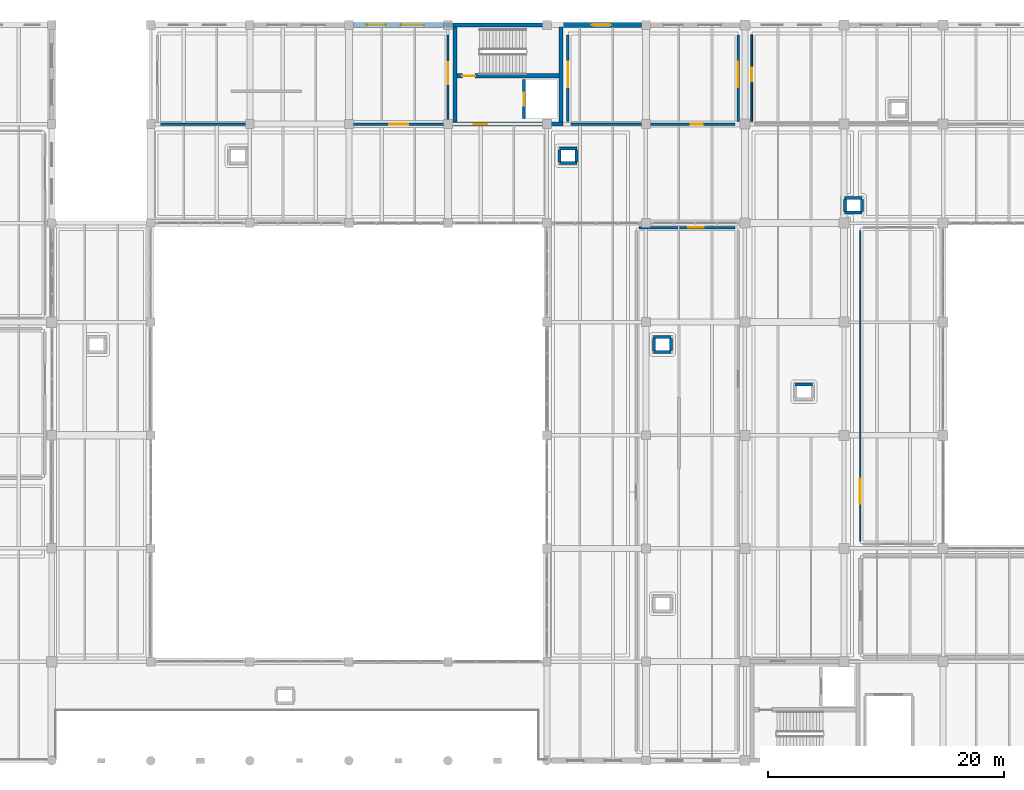
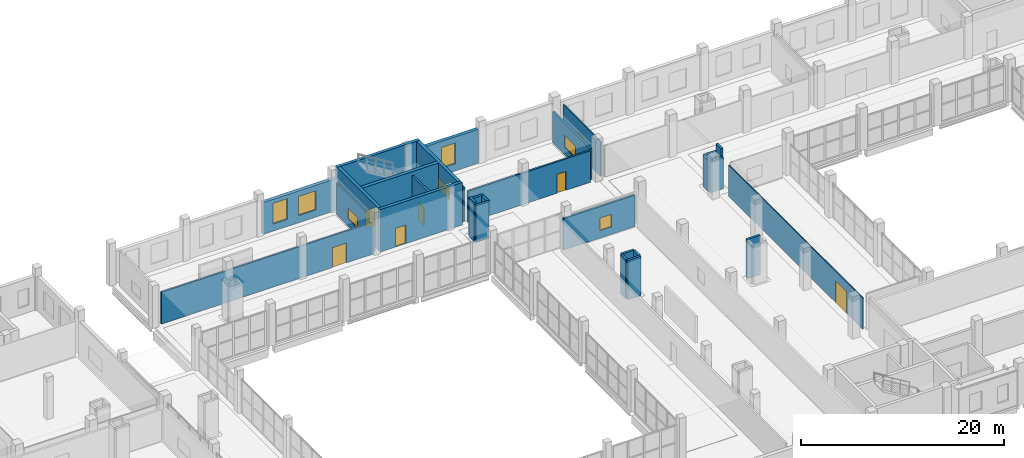
# One storey, part 49 of 66: 29 walls, 8 windows, 6 doors, 14 openings.
"""IFC4 building model written with IfcOpenShell, lengths in metres."""

from ifc_helpers import new_model, si_unit, direction, frame, frame_2d, origin, place, context, subcontext, project, spatial, rectangle, extrude, material, layer, layer_set, type_object, element, fill, save


model = new_model("IFC4")

# Units and contexts
model_context = context("Model", 3, precision=1e-05, world=origin(), true_north=direction((0.0, 1.0)))
body_context = subcontext(model_context, "Body", "Model", "MODEL_VIEW")
ifc_project = project(units=[si_unit("LENGTHUNIT", "METRE"), si_unit("AREAUNIT", "SQUARE_METRE"), si_unit("VOLUMEUNIT", "CUBIC_METRE"), si_unit("PLANEANGLEUNIT", "RADIAN"), si_unit("MASSUNIT", "GRAM", prefix="KILO")], contexts=[model_context])

# Site, building, storey
site_placement = place(None, origin())
site = spatial("IfcSite", under=ifc_project, at=site_placement, CompositionType="ELEMENT")
building_placement = place(site_placement, origin())
building = spatial("IfcBuilding", under=site, at=building_placement, Name="Zulmaris Art Gallery", CompositionType="ELEMENT")
storey_placement = place(building_placement, frame((0.0, 0.0, 5.39990234375)))
storey = spatial("IfcBuildingStorey", under=building, at=storey_placement, Name="L01", CompositionType="ELEMENT", Elevation=5.39990234375)

# Wall, openings, windows
ifc_material_1 = material(Name="Omani Desert Rose Limestone Cladding Wall", Category="masonry")
ifc_layer_1 = layer(ifc_material_1, 0.389892578125)
ifc_layer_set_1 = layer_set([ifc_layer_1], Name="Omani Desert Rose Limestone Cladding Wall")
wall_type_1 = type_object("IfcWallType", Name="ENV-WALL-EW02", PredefinedType="SOLIDWALL", material=ifc_layer_set_1)
wall_1_placement = place(storey_placement, frame((108.376953125, 75.60009765625, 0.0), z_axis=(0.0, 0.0, 1.0), x_axis=(1.0, 0.0, 0.0)))
wall_1 = element("IfcWall", 1, at=wall_1_placement, inside=storey, type_object=wall_type_1, Name="L01 V4 North Alley Limestone Facade (108.0..116.8)", PredefinedType="SOLIDWALL", context=body_context, shape_type="SweptSolid", body=[
    extrude(rectangle(XDim=8.4111328125, YDim=0.389892578125, at=frame_2d((4.20556640625, 0.0))), origin(), (0.0, 0.0, 1.0), 3.820068359375),
])
opening_1_placement = place(wall_1_placement, frame((1.14306640625, 0.0, 0.85009765625)))
opening_1 = element("IfcOpeningElement", 2, at=opening_1_placement, cuts=wall_1, Name="Opening W01", PredefinedType="OPENING", context=body_context, shape_type="SweptSolid", body=[
    extrude(rectangle(XDim=1.60009765625, YDim=2.5, at=frame_2d((0.800048828125, 1.25))), frame((0.0, 0.204833984375, 0.0), z_axis=(0.0, -1.0, 0.0), x_axis=(1.0, 0.0, 0.0)), (0.0, 0.0, 1.0), 0.409912109375),
])
opening_2_placement = place(wall_1_placement, frame((4.04296875, 0.0, 0.85009765625)))
opening_2 = element("IfcOpeningElement", 3, at=opening_2_placement, cuts=wall_1, Name="Opening W08", PredefinedType="OPENING", context=body_context, shape_type="SweptSolid", body=[
    extrude(rectangle(XDim=1.949951171875, YDim=2.300048828125, at=frame_2d((0.97509765625, 1.14990234375))), frame((0.0, 0.204833984375, 0.0), z_axis=(0.0, -1.0, 0.0), x_axis=(1.0, 0.0, 0.0)), (0.0, 0.0, 1.0), 0.409912109375),
])
ifc_material_2 = material(Name="Double-Glazed Solar-Control Low-E Window", Category="glass")
window_type_1 = type_object("IfcWindowType", Name="WIN-W01", PartitioningType="SINGLE_PANEL", PredefinedType="WINDOW", material=ifc_material_2)
window_1_placement = place(opening_1_placement, origin())
window_1 = element("IfcWindow", 4, at=window_1_placement, inside=storey, type_object=window_type_1, Name="L01 exterior window W01", OverallHeight=2.5, OverallWidth=1.60009765625, PartitioningType="SINGLE_PANEL", PredefinedType="WINDOW", context=body_context, shape_type="SweptSolid", body=[
    extrude(rectangle(XDim=1.60009765625, YDim=2.5, at=frame_2d((0.800048828125, 1.25))), frame((0.0, 0.030029296875, 0.0), z_axis=(0.0, -1.0, 0.0), x_axis=(1.0, 0.0, 0.0)), (0.0, 0.0, 1.0), 0.06005859375),
])
fill(opening_1, window_1)
ifc_material_3 = material(Name="Curatorial North Studio Window", Category="glass")
window_type_2 = type_object("IfcWindowType", Name="WIN-W08", PartitioningType="SINGLE_PANEL", PredefinedType="WINDOW", material=ifc_material_3)
window_2_placement = place(opening_2_placement, origin())
window_2 = element("IfcWindow", 5, at=window_2_placement, inside=storey, type_object=window_type_2, Name="L01 exterior window W08", OverallHeight=2.300048828125, OverallWidth=1.949951171875, PartitioningType="SINGLE_PANEL", PredefinedType="WINDOW", context=body_context, shape_type="SweptSolid", body=[
    extrude(rectangle(XDim=1.949951171875, YDim=2.300048828125, at=frame_2d((0.97509765625, 1.14990234375))), frame((0.0, 0.030029296875, 0.0), z_axis=(0.0, -1.0, 0.0), x_axis=(1.0, 0.0, 0.0)), (0.0, 0.0, 1.0), 0.06005859375),
])
fill(opening_2, window_2)

# Wall, opening, window
wall_2_placement = place(storey_placement, frame((126.2119140625, 75.60009765625, 0.0), z_axis=(0.0, 0.0, 1.0), x_axis=(1.0, 0.0, 0.0)))
wall_2 = element("IfcWall", 6, at=wall_2_placement, inside=storey, type_object=wall_type_1, Name="L01 V4 North Alley Limestone Facade (126.0..133.2)", PredefinedType="SOLIDWALL", context=body_context, shape_type="SweptSolid", body=[
    extrude(rectangle(XDim=6.611083984375, YDim=0.389892578125, at=frame_2d((3.3056640625, 0.0))), origin(), (0.0, 0.0, 1.0), 4.070068359375),
])
opening_3_placement = place(wall_2_placement, frame((2.407958984375, 0.0, 0.85009765625)))
opening_3 = element("IfcOpeningElement", 7, at=opening_3_placement, cuts=wall_2, Name="Opening W01", PredefinedType="OPENING", context=body_context, shape_type="SweptSolid", body=[
    extrude(rectangle(XDim=1.60009765625, YDim=2.5, at=frame_2d((0.800048828125, 1.25))), frame((0.0, 0.204833984375, 0.0), z_axis=(0.0, -1.0, 0.0), x_axis=(1.0, 0.0, 0.0)), (0.0, 0.0, 1.0), 0.409912109375),
])
window_3_placement = place(opening_3_placement, origin())
window_3 = element("IfcWindow", 8, at=window_3_placement, inside=storey, type_object=window_type_1, Name="L01 exterior window W01", OverallHeight=2.5, OverallWidth=1.60009765625, PartitioningType="SINGLE_PANEL", PredefinedType="WINDOW", context=body_context, shape_type="SweptSolid", body=[
    extrude(rectangle(XDim=1.60009765625, YDim=2.5, at=frame_2d((0.800048828125, 1.25))), frame((0.0, 0.030029296875, 0.0), z_axis=(0.0, -1.0, 0.0), x_axis=(1.0, 0.0, 0.0)), (0.0, 0.0, 1.0), 0.06005859375),
])
fill(opening_3, window_3)

# Wall, opening, door
ifc_material_4 = material(Name="Acoustic Office Gypsum Partition", Category="gypsum")
ifc_layer_2 = layer(ifc_material_4, 0.10009765625)
ifc_layer_set_2 = layer_set([ifc_layer_2], Name="Acoustic Office Gypsum Partition")
wall_type_2 = type_object("IfcWallType", Name="IWALL-PW01", PredefinedType="PARTITIONING", material=ifc_layer_set_2)
wall_3_placement = place(storey_placement, frame((151.3798828125, 31.830078125, 0.0), z_axis=(0.0, 0.0, 1.0), x_axis=(0.0, 1.0, 0.0)))
wall_3 = element("IfcWall", 9, at=wall_3_placement, inside=storey, type_object=wall_type_2, Name="Framed Works Rack Art Store W partition", PredefinedType="PARTITIONING", context=body_context, shape_type="SweptSolid", body=[
    extrude(rectangle(XDim=26.33984375, YDim=0.10009765625, at=frame_2d((13.169921875, 0.0))), origin(), (0.0, 0.0, 1.0), 3.77001953125),
])
opening_4_placement = place(wall_3_placement, frame((3.14990234375, 0.0, 0.0)))
opening_4 = element("IfcOpeningElement", 10, at=opening_4_placement, cuts=wall_3, Name="Opening D26", PredefinedType="OPENING", context=body_context, shape_type="SweptSolid", body=[
    extrude(rectangle(XDim=2.139892578125, YDim=2.6201171875, at=frame_2d((1.06982421875, 1.31005859375))), frame((0.0, 0.06005859375, 0.0), z_axis=(0.0, -1.0, 0.0), x_axis=(1.0, 0.0, 0.0)), (0.0, 0.0, 1.0), 0.1201171875),
])
ifc_material_5 = material(Name="Cloister Pavilion Portal Door", Category="aluminium")
door_type_1 = type_object("IfcDoorType", Name="IDOOR-D26", OperationType="DOUBLE_SWING_RIGHT", PredefinedType="DOOR", material=ifc_material_5)
door_1_placement = place(opening_4_placement, origin())
door_1 = element("IfcDoor", 11, at=door_1_placement, inside=storey, type_object=door_type_1, Name="Framed Works Rack Art Store Door", OperationType="DOUBLE_SWING_RIGHT", OverallHeight=2.6201171875, OverallWidth=2.139892578125, PredefinedType="DOOR", context=body_context, shape_type="SweptSolid", body=[
    extrude(rectangle(XDim=2.139892578125, YDim=2.6201171875, at=frame_2d((1.06982421875, 1.31005859375))), frame((0.0, 0.02490234375, 0.0), z_axis=(0.0, -1.0, 0.0), x_axis=(1.0, 0.0, 0.0)), (0.0, 0.0, 1.0), 0.050048828125),
])
fill(opening_4, door_1)

# Wall, opening, window
ifc_material_6 = material(Name="Plywood-Backed Gallery Hanging Partition", Category="wood")
ifc_layer_3 = layer(ifc_material_6, 0.14501953125)
ifc_layer_set_3 = layer_set([ifc_layer_3], Name="Plywood-Backed Gallery Hanging Partition")
wall_type_3 = type_object("IfcWallType", Name="IWALL-PW04", PredefinedType="PARTITIONING", material=ifc_layer_set_3)
wall_4_placement = place(storey_placement, frame((142.179931640625, 67.429931640625, 0.0), z_axis=(0.0, 0.0, 1.0), x_axis=(0.0, 1.0, 0.0)))
wall_4 = element("IfcWall", 12, at=wall_4_placement, inside=storey, type_object=wall_type_3, Name="Photography Digitisation & Darkroom W partition", PredefinedType="PARTITIONING", context=body_context, shape_type="SweptSolid", body=[
    extrude(rectangle(XDim=7.340087890625, YDim=0.14501953125, at=frame_2d((3.669921875, 0.0))), origin(), (0.0, 0.0, 1.0), 4.18017578125),
])
opening_5_placement = place(wall_4_placement, frame((3.39990234375, 0.0, 0.89990234375)))
opening_5 = element("IfcOpeningElement", 13, at=opening_5_placement, cuts=wall_4, Name="Opening IW08", PredefinedType="OPENING", context=body_context, shape_type="SweptSolid", body=[
    extrude(rectangle(XDim=1.159912109375, YDim=1.6201171875, at=frame_2d((0.580078125, 0.81005859375))), frame((0.0, 0.08251953125, 0.0), z_axis=(0.0, -1.0, 0.0), x_axis=(1.0, 0.0, 0.0)), (0.0, 0.0, 1.0), 0.1650390625),
])
ifc_material_7 = material(Name="Foyer Cloakroom Counter Glazing", Category="glass")
window_type_3 = type_object("IfcWindowType", Name="IWIN-IW08", PartitioningType="SINGLE_PANEL", PredefinedType="WINDOW", material=ifc_material_7)
window_4_placement = place(opening_5_placement, origin())
window_4 = element("IfcWindow", 14, at=window_4_placement, inside=storey, type_object=window_type_3, Name="L01 interior observation window IW08", OverallHeight=1.6201171875, OverallWidth=1.159912109375, PartitioningType="SINGLE_PANEL", PredefinedType="WINDOW", context=body_context, shape_type="SweptSolid", body=[
    extrude(rectangle(XDim=1.159912109375, YDim=1.6201171875, at=frame_2d((0.580078125, 0.81005859375))), frame((0.0, 0.030029296875, 0.0), z_axis=(0.0, -1.0, 0.0), x_axis=(1.0, 0.0, 0.0)), (0.0, 0.0, 1.0), 0.06005859375),
])
fill(opening_5, window_4)

# Wall, opening, door
ifc_material_8 = material(Name="Conservation Laboratory Partition", Category="masonry")
ifc_layer_4 = layer(ifc_material_8, 0.18994140625)
ifc_layer_set_4 = layer_set([ifc_layer_4], Name="Conservation Laboratory Partition")
wall_type_4 = type_object("IfcWallType", Name="IWALL-PW07", PredefinedType="PARTITIONING", material=ifc_layer_set_4)
wall_5_placement = place(storey_placement, frame((92.030029296875, 67.179931640625, 0.0), z_axis=(0.0, 0.0, 1.0), x_axis=(1.0, 0.0, 0.0)))
wall_5 = element("IfcWall", 15, at=wall_5_placement, inside=storey, type_object=wall_type_4, Name="20th-Century Ceramics & Glass Gallery S partition", PredefinedType="PARTITIONING", context=body_context, shape_type="SweptSolid", body=[
    extrude(rectangle(XDim=24.139892578125, YDim=0.18994140625, at=frame_2d((12.06982421875, 0.0))), origin(), (0.0, 0.0, 1.0), 3.820068359375),
])
opening_6_placement = place(wall_5_placement, frame((19.39990234375, 0.0, 0.0)))
opening_6 = element("IfcOpeningElement", 16, at=opening_6_placement, cuts=wall_5, Name="Opening D22", PredefinedType="OPENING", context=body_context, shape_type="SweptSolid", body=[
    extrude(rectangle(XDim=1.6201171875, YDim=2.3798828125, at=frame_2d((0.81005859375, 1.18994140625))), frame((0.0, 0.10498046875, 0.0), z_axis=(0.0, -1.0, 0.0), x_axis=(1.0, 0.0, 0.0)), (0.0, 0.0, 1.0), 0.2099609375),
])
ifc_material_9 = material(Name="Archive Vault Vestibule Door", Category="steel")
door_type_2 = type_object("IfcDoorType", Name="IDOOR-D22", OperationType="DOUBLE_SWING_RIGHT", PredefinedType="DOOR", material=ifc_material_9)
door_2_placement = place(opening_6_placement, origin())
door_2 = element("IfcDoor", 17, at=door_2_placement, inside=storey, type_object=door_type_2, Name="20th-Century Ceramics & Glass Gallery Door", OperationType="DOUBLE_SWING_RIGHT", OverallHeight=2.3798828125, OverallWidth=1.6201171875, PredefinedType="DOOR", context=body_context, shape_type="SweptSolid", body=[
    extrude(rectangle(XDim=1.6201171875, YDim=2.3798828125, at=frame_2d((0.81005859375, 1.18994140625))), frame((0.0, 0.02490234375, 0.0), z_axis=(0.0, -1.0, 0.0), x_axis=(1.0, 0.0, 0.0)), (0.0, 0.0, 1.0), 0.050048828125),
])
fill(opening_6, door_2)

# Wall, opening, window
wall_6_placement = place(storey_placement, frame((116.419921875, 67.429931640625, 0.0), z_axis=(0.0, 0.0, 1.0), x_axis=(0.0, 1.0, 0.0)))
wall_6 = element("IfcWall", 18, at=wall_6_placement, inside=storey, type_object=wall_type_4, Name="20th-Century Ceramics & Glass Gallery E partition", PredefinedType="PARTITIONING", context=body_context, shape_type="SweptSolid", body=[
    extrude(rectangle(XDim=7.340087890625, YDim=0.18994140625, at=frame_2d((3.669921875, 0.0))), origin(), (0.0, 0.0, 1.0), 3.820068359375),
])
opening_7_placement = place(wall_6_placement, frame((3.14990234375, 0.0, 0.89990234375)))
opening_7 = element("IfcOpeningElement", 19, at=opening_7_placement, cuts=wall_6, Name="Opening IW02", PredefinedType="OPENING", context=body_context, shape_type="SweptSolid", body=[
    extrude(rectangle(XDim=1.860107421875, YDim=1.280029296875, at=frame_2d((0.93017578125, 0.64013671875))), frame((0.0, 0.10498046875, 0.0), z_axis=(0.0, -1.0, 0.0), x_axis=(1.0, 0.0, 0.0)), (0.0, 0.0, 1.0), 0.2099609375),
])
ifc_material_10 = material(Name="Auditorium Booth Acoustic Window", Category="glass")
window_type_4 = type_object("IfcWindowType", Name="IWIN-IW02", PartitioningType="SINGLE_PANEL", PredefinedType="WINDOW", material=ifc_material_10)
window_5_placement = place(opening_7_placement, origin())
window_5 = element("IfcWindow", 20, at=window_5_placement, inside=storey, type_object=window_type_4, Name="L01 interior observation window IW02", OverallHeight=1.280029296875, OverallWidth=1.860107421875, PartitioningType="SINGLE_PANEL", PredefinedType="WINDOW", context=body_context, shape_type="SweptSolid", body=[
    extrude(rectangle(XDim=1.860107421875, YDim=1.280029296875, at=frame_2d((0.93017578125, 0.64013671875))), frame((0.0, 0.030029296875, 0.0), z_axis=(0.0, -1.0, 0.0), x_axis=(1.0, 0.0, 0.0)), (0.0, 0.0, 1.0), 0.06005859375),
])
fill(opening_7, window_5)

# Wall, opening, door
ifc_material_11 = material(Name="Fire-Rated Corridor Compartment Wall", Category="masonry")
ifc_layer_5 = layer(ifc_material_11, 0.205078125)
ifc_layer_set_5 = layer_set([ifc_layer_5], Name="Fire-Rated Corridor Compartment Wall")
wall_type_5 = type_object("IfcWallType", Name="IWALL-PW08", PredefinedType="PARTITIONING", material=ifc_layer_set_5)
wall_7_placement = place(storey_placement, frame((126.830078125, 67.179931640625, 0.0), z_axis=(0.0, 0.0, 1.0), x_axis=(1.0, 0.0, 0.0)))
wall_7 = element("IfcWall", 21, at=wall_7_placement, inside=storey, type_object=wall_type_5, Name="Textile & Woven Heritage Gallery S partition", PredefinedType="PARTITIONING", context=body_context, shape_type="SweptSolid", body=[
    extrude(rectangle(XDim=13.93994140625, YDim=0.205078125, at=frame_2d((6.969970703125, 0.0))), origin(), (0.0, 0.0, 1.0), 3.77001953125),
])
opening_8_placement = place(wall_7_placement, frame((10.14990234375, 0.0, 0.0)))
opening_8 = element("IfcOpeningElement", 22, at=opening_8_placement, cuts=wall_7, Name="Opening D23", PredefinedType="OPENING", context=body_context, shape_type="SweptSolid", body=[
    extrude(rectangle(XDim=1.02001953125, YDim=2.260009765625, at=frame_2d((0.510009765625, 1.1298828125))), frame((0.0, 0.112548828125, 0.0), z_axis=(0.0, -1.0, 0.0), x_axis=(1.0, 0.0, 0.0)), (0.0, 0.0, 1.0), 0.22509765625),
])
ifc_material_12 = material(Name="Green Room Performer Door", Category="timber")
door_type_3 = type_object("IfcDoorType", Name="IDOOR-D23", OperationType="NOTDEFINED", PredefinedType="DOOR", material=ifc_material_12)
door_3_placement = place(opening_8_placement, origin())
door_3 = element("IfcDoor", 23, at=door_3_placement, inside=storey, type_object=door_type_3, Name="Textile & Woven Heritage Gallery Door", OperationType="SINGLE_SWING_LEFT", OverallHeight=2.260009765625, OverallWidth=1.02001953125, PredefinedType="DOOR", context=body_context, shape_type="SweptSolid", body=[
    extrude(rectangle(XDim=1.02001953125, YDim=2.260009765625, at=frame_2d((0.510009765625, 1.1298828125))), frame((0.0, 0.02490234375, 0.0), z_axis=(0.0, -1.0, 0.0), x_axis=(1.0, 0.0, 0.0)), (0.0, 0.0, 1.0), 0.050048828125),
])
fill(opening_8, door_3)

# Wall, opening, window
wall_8_placement = place(storey_placement, frame((126.580078125, 67.429931640625, 0.0), z_axis=(0.0, 0.0, 1.0), x_axis=(0.0, 1.0, 0.0)))
wall_8 = element("IfcWall", 24, at=wall_8_placement, inside=storey, type_object=wall_type_5, Name="Textile & Woven Heritage Gallery W partition", PredefinedType="PARTITIONING", context=body_context, shape_type="SweptSolid", body=[
    extrude(rectangle(XDim=7.340087890625, YDim=0.205078125, at=frame_2d((3.669921875, 0.0))), origin(), (0.0, 0.0, 1.0), 4.170166015625),
])
opening_9_placement = place(wall_8_placement, frame((2.89990234375, 0.0, 0.89990234375)))
opening_9 = element("IfcOpeningElement", 25, at=opening_9_placement, cuts=wall_8, Name="Opening IW03", PredefinedType="OPENING", context=body_context, shape_type="SweptSolid", body=[
    extrude(rectangle(XDim=2.159912109375, YDim=1.419921875, at=frame_2d((1.080078125, 0.7099609375))), frame((0.0, 0.112548828125, 0.0), z_axis=(0.0, -1.0, 0.0), x_axis=(1.0, 0.0, 0.0)), (0.0, 0.0, 1.0), 0.22509765625),
])
ifc_material_13 = material(Name="Analytical Lab Observation Window", Category="glass")
window_type_5 = type_object("IfcWindowType", Name="IWIN-IW03", PartitioningType="SINGLE_PANEL", PredefinedType="WINDOW", material=ifc_material_13)
window_6_placement = place(opening_9_placement, origin())
window_6 = element("IfcWindow", 26, at=window_6_placement, inside=storey, type_object=window_type_5, Name="L01 interior observation window IW03", OverallHeight=1.419921875, OverallWidth=2.159912109375, PartitioningType="SINGLE_PANEL", PredefinedType="WINDOW", context=body_context, shape_type="SweptSolid", body=[
    extrude(rectangle(XDim=2.159912109375, YDim=1.419921875, at=frame_2d((1.080078125, 0.7099609375))), frame((0.0, 0.030029296875, 0.0), z_axis=(0.0, -1.0, 0.0), x_axis=(1.0, 0.0, 0.0)), (0.0, 0.0, 1.0), 0.06005859375),
])
fill(opening_9, window_6)

wall_9_placement = place(storey_placement, frame((141.02001953125, 67.429931640625, 0.0), z_axis=(0.0, 0.0, 1.0), x_axis=(0.0, 1.0, 0.0)))
wall_9 = element("IfcWall", 27, at=wall_9_placement, inside=storey, type_object=wall_type_5, Name="Textile & Woven Heritage Gallery E partition", PredefinedType="PARTITIONING", context=body_context, shape_type="SweptSolid", body=[
    extrude(rectangle(XDim=7.340087890625, YDim=0.205078125, at=frame_2d((3.669921875, 0.0))), origin(), (0.0, 0.0, 1.0), 3.77001953125),
])
opening_10_placement = place(wall_9_placement, frame((2.89990234375, 0.0, 0.89990234375)))
opening_10 = element("IfcOpeningElement", 28, at=opening_10_placement, cuts=wall_9, Name="Opening IW03", PredefinedType="OPENING", context=body_context, shape_type="SweptSolid", body=[
    extrude(rectangle(XDim=2.159912109375, YDim=1.419921875, at=frame_2d((1.080078125, 0.7099609375))), frame((0.0, 0.112548828125, 0.0), z_axis=(0.0, -1.0, 0.0), x_axis=(1.0, 0.0, 0.0)), (0.0, 0.0, 1.0), 0.22509765625),
])
window_7_placement = place(opening_10_placement, origin())
window_7 = element("IfcWindow", 29, at=window_7_placement, inside=storey, type_object=window_type_5, Name="L01 interior observation window IW03", OverallHeight=1.419921875, OverallWidth=2.159912109375, PartitioningType="SINGLE_PANEL", PredefinedType="WINDOW", context=body_context, shape_type="SweptSolid", body=[
    extrude(rectangle(XDim=2.159912109375, YDim=1.419921875, at=frame_2d((1.080078125, 0.7099609375))), frame((0.0, 0.030029296875, 0.0), z_axis=(0.0, -1.0, 0.0), x_axis=(1.0, 0.0, 0.0)), (0.0, 0.0, 1.0), 0.06005859375),
])
fill(opening_10, window_7)

ifc_material_14 = material(Name="Hygrometric Art Store Buffer Wall", Category="masonry")
ifc_layer_6 = layer(ifc_material_14, 0.219970703125)
ifc_layer_set_6 = layer_set([ifc_layer_6], Name="Hygrometric Art Store Buffer Wall")
wall_type_6 = type_object("IfcWallType", Name="IWALL-PW09", PredefinedType="PARTITIONING", material=ifc_layer_set_6)
wall_10_placement = place(storey_placement, frame((132.6298828125, 58.419921875, 0.0), z_axis=(0.0, 0.0, 1.0), x_axis=(1.0, 0.0, 0.0)))
wall_10 = element("IfcWall", 30, at=wall_10_placement, inside=storey, type_object=wall_type_6, Name="Indian Ocean Trade Exchange Gallery N partition", PredefinedType="PARTITIONING", context=body_context, shape_type="SweptSolid", body=[
    extrude(rectangle(XDim=8.14013671875, YDim=0.219970703125, at=frame_2d((4.070068359375, 0.0))), origin(), (0.0, 0.0, 1.0), 3.77001953125),
])
opening_11_placement = place(wall_10_placement, frame((4.14990234375, 0.0, 0.89990234375)))
opening_11 = element("IfcOpeningElement", 31, at=opening_11_placement, cuts=wall_10, Name="Opening IW04", PredefinedType="OPENING", context=body_context, shape_type="SweptSolid", body=[
    extrude(rectangle(XDim=1.320068359375, YDim=1.5, at=frame_2d((0.66015625, 0.75))), frame((0.0, 0.119873046875, 0.0), z_axis=(0.0, -1.0, 0.0), x_axis=(1.0, 0.0, 0.0)), (0.0, 0.0, 1.0), 0.239990234375),
])
ifc_material_15 = material(Name="Curatorial Study Vitrine Window", Category="glass")
window_type_6 = type_object("IfcWindowType", Name="IWIN-IW04", PartitioningType="SINGLE_PANEL", PredefinedType="WINDOW", material=ifc_material_15)
window_8_placement = place(opening_11_placement, origin())
window_8 = element("IfcWindow", 32, at=window_8_placement, inside=storey, type_object=window_type_6, Name="L01 interior observation window IW04", OverallHeight=1.5, OverallWidth=1.320068359375, PartitioningType="SINGLE_PANEL", PredefinedType="WINDOW", context=body_context, shape_type="SweptSolid", body=[
    extrude(rectangle(XDim=1.320068359375, YDim=1.5, at=frame_2d((0.66015625, 0.75))), frame((0.0, 0.030029296875, 0.0), z_axis=(0.0, -1.0, 0.0), x_axis=(1.0, 0.0, 0.0)), (0.0, 0.0, 1.0), 0.06005859375),
])
fill(opening_11, window_8)

# Wall, opening, door
ifc_material_16 = material(Name="Core Lobby Fire-Resisting Masonry Wall", Category="masonry")
ifc_layer_7 = layer(ifc_material_16, 0.235107421875)
ifc_layer_set_7 = layer_set([ifc_layer_7], Name="Core Lobby Fire-Resisting Masonry Wall")
wall_type_7 = type_object("IfcWallType", Name="IWALL-PW10", PredefinedType="PARTITIONING", material=ifc_layer_set_7)
wall_11_placement = place(storey_placement, frame((122.85009765625, 67.64990234375, 0.0), z_axis=(0.0, 0.0, 1.0), x_axis=(0.0, 1.0, 0.0)))
wall_11 = element("IfcWall", 33, at=wall_11_placement, inside=storey, type_object=wall_type_7, Name="LF-P3 L01 lift shaft front wall", PredefinedType="PARTITIONING", context=body_context, shape_type="SweptSolid", body=[
    extrude(rectangle(XDim=3.330078125, YDim=0.235107421875, at=frame_2d((1.6650390625, 0.0))), origin(), (0.0, 0.0, 1.0), 4.72021484375),
])
opening_12_placement = place(wall_11_placement, frame((1.114990234375, 0.0, 0.0)))
opening_12 = element("IfcOpeningElement", 34, at=opening_12_placement, cuts=wall_11, Name="Opening LD01", PredefinedType="OPENING", context=body_context, shape_type="SweptSolid", body=[
    extrude(rectangle(XDim=1.10009765625, YDim=2.199951171875, at=frame_2d((0.550048828125, 1.10009765625))), frame((0.0, 0.12744140625, 0.0), z_axis=(0.0, -1.0, 0.0), x_axis=(1.0, 0.0, 0.0)), (0.0, 0.0, 1.0), 0.255126953125),
])
ifc_material_17 = material(Name="Passenger Lift Sliding Landing Door", Category="steel")
door_type_4 = type_object("IfcDoorType", Name="IDOOR-LD01", OperationType="SLIDING_TO_LEFT", PredefinedType="DOOR", material=ifc_material_17)
door_4_placement = place(opening_12_placement, origin())
door_4 = element("IfcDoor", 35, at=door_4_placement, inside=storey, type_object=door_type_4, Name="LF-P3 L01 Lift Landing Sliding Door", OperationType="SLIDING_TO_LEFT", OverallHeight=2.199951171875, OverallWidth=1.10009765625, PredefinedType="DOOR", context=body_context, shape_type="SweptSolid", body=[
    extrude(rectangle(XDim=1.10009765625, YDim=2.199951171875, at=frame_2d((0.550048828125, 1.10009765625))), frame((0.0, 0.02490234375, 0.0), z_axis=(0.0, -1.0, 0.0), x_axis=(1.0, 0.0, 0.0)), (0.0, 0.0, 1.0), 0.050048828125),
])
fill(opening_12, door_4)

# Walls
ifc_material_18 = material(Name="MEP Riser & Smoke Shaft Enclosure Wall", Category="masonry")
ifc_layer_8 = layer(ifc_material_18, 0.2548828125)
ifc_layer_set_8 = layer_set([ifc_layer_8], Name="MEP Riser & Smoke Shaft Enclosure Wall")
wall_type_8 = type_object("IfcWallType", Name="IWALL-PW11", PredefinedType="PARTITIONING", material=ifc_layer_set_8)
for number, where, z_axis, x_axis, name in (
    (36, (125.860107421875, 65.1201171875, 0.0), (0.0, 0.0, 1.0), (1.0, 0.0, 0.0), "L01 MEP Riser 10 N wall"),
    (37, (125.860107421875, 63.8798828125, 0.0), (0.0, 0.0, 1.0), (1.0, 0.0, 0.0), "L01 MEP Riser 10 S wall"),
):
    element("IfcWall", number, at=place(storey_placement, frame(where, z_axis=z_axis, x_axis=x_axis)), inside=storey, type_object=wall_type_8, Name=name, PredefinedType="PARTITIONING", context=body_context, shape_type="SweptSolid", body=[
        extrude(rectangle(XDim=1.47998046875, YDim=0.2548828125, at=frame_2d((0.739990234375, 0.0))), origin(), (0.0, 0.0, 1.0), 4.400146484375),
    ])
wall_12_placement = place(storey_placement, frame((125.8798828125, 64.0, 0.0), z_axis=(0.0, 0.0, 1.0), x_axis=(0.0, 1.0, 0.0)))
element("IfcWall", 38, at=wall_12_placement, inside=storey, type_object=wall_type_8, Name="L01 MEP Riser 10 W wall", PredefinedType="PARTITIONING", context=body_context, shape_type="SweptSolid", body=[
    extrude(rectangle(XDim=1.0, YDim=0.2548828125, at=frame_2d((0.5, 0.0))), origin(), (0.0, 0.0, 1.0), 4.72021484375),
])
wall_13_placement = place(storey_placement, frame((127.320068359375, 64.0, 0.0), z_axis=(0.0, 0.0, 1.0), x_axis=(0.0, 1.0, 0.0)))
element("IfcWall", 39, at=wall_13_placement, inside=storey, type_object=wall_type_8, Name="L01 MEP Riser 10 E wall", PredefinedType="PARTITIONING", context=body_context, shape_type="SweptSolid", body=[
    extrude(rectangle(XDim=1.0, YDim=0.2548828125, at=frame_2d((0.5, 0.0))), origin(), (0.0, 0.0, 1.0), 4.400146484375),
])
for number, where, z_axis, x_axis, name in (
    (40, (133.860107421875, 49.1201171875, 0.0), (0.0, 0.0, 1.0), (1.0, 0.0, 0.0), "L01 MEP Riser 12 N wall"),
    (41, (133.860107421875, 47.8798828125, 0.0), (0.0, 0.0, 1.0), (1.0, 0.0, 0.0), "L01 MEP Riser 12 S wall"),
):
    element("IfcWall", number, at=place(storey_placement, frame(where, z_axis=z_axis, x_axis=x_axis)), inside=storey, type_object=wall_type_8, Name=name, PredefinedType="PARTITIONING", context=body_context, shape_type="SweptSolid", body=[
        extrude(rectangle(XDim=1.47998046875, YDim=0.2548828125, at=frame_2d((0.739990234375, 0.0))), origin(), (0.0, 0.0, 1.0), 4.72021484375),
    ])
for number, where, z_axis, x_axis, name in (
    (42, (133.8798828125, 48.0, 0.0), (0.0, 0.0, 1.0), (0.0, 1.0, 0.0), "L01 MEP Riser 12 W wall"),
    (43, (135.320068359375, 48.0, 0.0), (0.0, 0.0, 1.0), (0.0, 1.0, 0.0), "L01 MEP Riser 12 E wall"),
):
    element("IfcWall", number, at=place(storey_placement, frame(where, z_axis=z_axis, x_axis=x_axis)), inside=storey, type_object=wall_type_8, Name=name, PredefinedType="PARTITIONING", context=body_context, shape_type="SweptSolid", body=[
        extrude(rectangle(XDim=1.0, YDim=0.2548828125, at=frame_2d((0.5, 0.0))), origin(), (0.0, 0.0, 1.0), 4.72021484375),
    ])
for number, where, z_axis, x_axis, name in (
    (44, (150.06005859375, 60.919921875, 0.0), (0.0, 0.0, 1.0), (1.0, 0.0, 0.0), "L01 MEP Riser 13 N wall"),
    (45, (150.06005859375, 59.679931640625, 0.0), (0.0, 0.0, 1.0), (1.0, 0.0, 0.0), "L01 MEP Riser 13 S wall"),
):
    element("IfcWall", number, at=place(storey_placement, frame(where, z_axis=z_axis, x_axis=x_axis)), inside=storey, type_object=wall_type_8, Name=name, PredefinedType="PARTITIONING", context=body_context, shape_type="SweptSolid", body=[
        extrude(rectangle(XDim=1.47998046875, YDim=0.2548828125, at=frame_2d((0.739990234375, 0.0))), origin(), (0.0, 0.0, 1.0), 3.77001953125),
    ])
wall_14_placement = place(storey_placement, frame((150.080078125, 59.800048828125, 0.0), z_axis=(0.0, 0.0, 1.0), x_axis=(0.0, 1.0, 0.0)))
element("IfcWall", 46, at=wall_14_placement, inside=storey, type_object=wall_type_8, Name="L01 MEP Riser 13 W wall", PredefinedType="PARTITIONING", context=body_context, shape_type="SweptSolid", body=[
    extrude(rectangle(XDim=1.0, YDim=0.2548828125, at=frame_2d((0.5, 0.0))), origin(), (0.0, 0.0, 1.0), 3.77001953125),
])
wall_15_placement = place(storey_placement, frame((151.52001953125, 59.800048828125, 0.0), z_axis=(0.0, 0.0, 1.0), x_axis=(0.0, 1.0, 0.0)))
element("IfcWall", 47, at=wall_15_placement, inside=storey, type_object=wall_type_8, Name="L01 MEP Riser 13 E wall", PredefinedType="PARTITIONING", context=body_context, shape_type="SweptSolid", body=[
    extrude(rectangle(XDim=1.0, YDim=0.2548828125, at=frame_2d((0.5, 0.0))), origin(), (0.0, 0.0, 1.0), 4.72021484375),
])
wall_16_placement = place(storey_placement, frame((145.860107421875, 45.1201171875, 0.0), z_axis=(0.0, 0.0, 1.0), x_axis=(1.0, 0.0, 0.0)))
element("IfcWall", 48, at=wall_16_placement, inside=storey, type_object=wall_type_8, Name="L01 MEP Riser 17 N wall", PredefinedType="PARTITIONING", context=body_context, shape_type="SweptSolid", body=[
    extrude(rectangle(XDim=1.47998046875, YDim=0.2548828125, at=frame_2d((0.739990234375, 0.0))), origin(), (0.0, 0.0, 1.0), 4.72021484375),
])

# Wall, opening, door
ifc_material_19 = material(Name="Concrete C50/60", Category="concrete")
ifc_layer_9 = layer(ifc_material_19, 0.35009765625)
ifc_layer_set_9 = layer_set([ifc_layer_9], Name="Concrete C50/60")
wall_type_9 = type_object("IfcWallType", Name="STR-WALL-SW01", PredefinedType="SHEAR", material=ifc_layer_set_9)
wall_17_placement = place(storey_placement, frame((116.824951171875, 67.199951171875, 0.0), z_axis=(0.0, 0.0, 1.0), x_axis=(1.0, 0.0, 0.0)))
wall_17 = element("IfcWall", 49, at=wall_17_placement, inside=storey, type_object=wall_type_9, Name="Core C5 L01 S shear wall", PredefinedType="SHEAR", context=body_context, shape_type="SweptSolid", body=[
    extrude(rectangle(XDim=9.35009765625, YDim=0.35009765625, at=frame_2d((4.675048828125, 0.0))), origin(), (0.0, 0.0, 1.0), 5.10009765625),
])
opening_13_placement = place(wall_17_placement, frame((1.75, 0.0, 0.0)))
opening_13 = element("IfcOpeningElement", 50, at=opening_13_placement, cuts=wall_17, Name="Opening D08", PredefinedType="OPENING", context=body_context, shape_type="SweptSolid", body=[
    extrude(rectangle(XDim=1.179931640625, YDim=2.239990234375, at=frame_2d((0.58984375, 1.1201171875))), frame((0.0, 0.18505859375, 0.0), z_axis=(0.0, -1.0, 0.0), x_axis=(1.0, 0.0, 0.0)), (0.0, 0.0, 1.0), 0.3701171875),
])
ifc_material_20 = material(Name="Firefighting Lobby Compartment Door", Category="steel")
door_type_5 = type_object("IfcDoorType", Name="IDOOR-D08", OperationType="NOTDEFINED", PredefinedType="DOOR", material=ifc_material_20)
door_5_placement = place(opening_13_placement, origin())
door_5 = element("IfcDoor", 51, at=door_5_placement, inside=storey, type_object=door_type_5, Name="Core C5 L01 Lobby Compartment Door", OperationType="SINGLE_SWING_RIGHT", OverallHeight=2.239990234375, OverallWidth=1.179931640625, PredefinedType="DOOR", context=body_context, shape_type="SweptSolid", body=[
    extrude(rectangle(XDim=1.179931640625, YDim=2.239990234375, at=frame_2d((0.58984375, 1.1201171875))), frame((0.0, 0.02490234375, 0.0), z_axis=(0.0, -1.0, 0.0), x_axis=(1.0, 0.0, 0.0)), (0.0, 0.0, 1.0), 0.050048828125),
])
fill(opening_13, door_5)

# Walls
wall_18_placement = place(storey_placement, frame((116.824951171875, 75.60009765625, 0.0), z_axis=(0.0, 0.0, 1.0), x_axis=(1.0, 0.0, 0.0)))
element("IfcWall", 52, at=wall_18_placement, inside=storey, type_object=wall_type_9, Name="Core C5 L01 N shear wall", PredefinedType="SHEAR", context=body_context, shape_type="SweptSolid", body=[
    extrude(rectangle(XDim=9.35009765625, YDim=0.35009765625, at=frame_2d((4.675048828125, 0.0))), origin(), (0.0, 0.0, 1.0), 5.10009765625),
])
for number, where, z_axis, x_axis, name in (
    (53, (117.0, 67.375, 0.0), (0.0, 0.0, 1.0), (0.0, 1.0, 0.0), "Core C5 L01 W shear wall"),
    (54, (126.0, 67.375, 0.0), (0.0, 0.0, 1.0), (0.0, 1.0, 0.0), "Core C5 L01 E shear wall"),
):
    element("IfcWall", number, at=place(storey_placement, frame(where, z_axis=z_axis, x_axis=x_axis)), inside=storey, type_object=wall_type_9, Name=name, PredefinedType="SHEAR", context=body_context, shape_type="SweptSolid", body=[
        extrude(rectangle(XDim=8.050048828125, YDim=0.35009765625, at=frame_2d((4.02490234375, 0.0))), origin(), (0.0, 0.0, 1.0), 5.10009765625),
    ])

# Wall, opening, door
ifc_layer_10 = layer(ifc_material_19, 0.3798828125)
ifc_layer_set_10 = layer_set([ifc_layer_10], Name="Concrete C50/60")
wall_type_10 = type_object("IfcWallType", Name="STR-WALL-SW02", PredefinedType="SHEAR", material=ifc_layer_set_10)
wall_19_placement = place(storey_placement, frame((117.175048828125, 71.2900390625, 0.0), z_axis=(0.0, 0.0, 1.0), x_axis=(1.0, 0.0, 0.0)))
wall_19 = element("IfcWall", 55, at=wall_19_placement, inside=storey, type_object=wall_type_10, Name="Core C5 L01 DIV shear wall", PredefinedType="SHEAR", context=body_context, shape_type="SweptSolid", body=[
    extrude(rectangle(XDim=8.64990234375, YDim=0.3798828125, at=frame_2d((4.324951171875, 0.0))), origin(), (0.0, 0.0, 1.0), 5.10009765625),
])
opening_14_placement = place(wall_19_placement, frame((0.449951171875, 0.0, 0.0)))
opening_14 = element("IfcOpeningElement", 56, at=opening_14_placement, cuts=wall_19, Name="Opening D07", PredefinedType="OPENING", context=body_context, shape_type="SweptSolid", body=[
    extrude(rectangle(XDim=1.080078125, YDim=2.179931640625, at=frame_2d((0.5400390625, 1.08984375))), frame((0.0, 0.199951171875, 0.0), z_axis=(0.0, -1.0, 0.0), x_axis=(1.0, 0.0, 0.0)), (0.0, 0.0, 1.0), 0.39990234375),
])
ifc_material_21 = material(Name="Stairwell Fire Escape Door", Category="steel")
door_type_6 = type_object("IfcDoorType", Name="IDOOR-D07", OperationType="NOTDEFINED", PredefinedType="DOOR", material=ifc_material_21)
door_6_placement = place(opening_14_placement, origin())
door_6 = element("IfcDoor", 57, at=door_6_placement, inside=storey, type_object=door_type_6, Name="Core C5 L01 Stair ST5 Fire Door", OperationType="SINGLE_SWING_LEFT", OverallHeight=2.179931640625, OverallWidth=1.080078125, PredefinedType="DOOR", context=body_context, shape_type="SweptSolid", body=[
    extrude(rectangle(XDim=1.080078125, YDim=2.179931640625, at=frame_2d((0.5400390625, 1.08984375))), frame((0.0, 0.02490234375, 0.0), z_axis=(0.0, -1.0, 0.0), x_axis=(1.0, 0.0, 0.0)), (0.0, 0.0, 1.0), 0.050048828125),
])
fill(opening_14, door_6)

save(model, "model.ifc")
